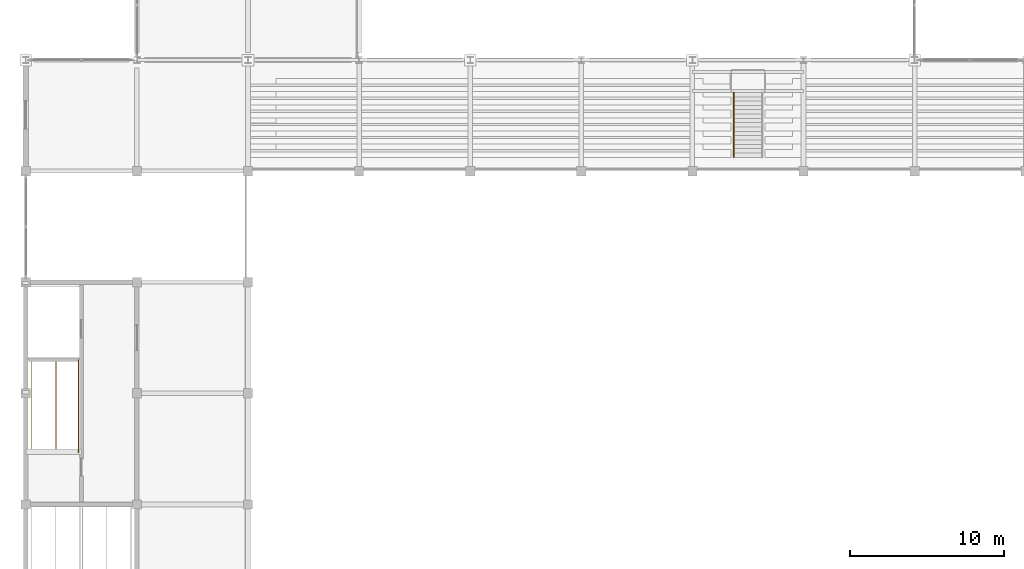
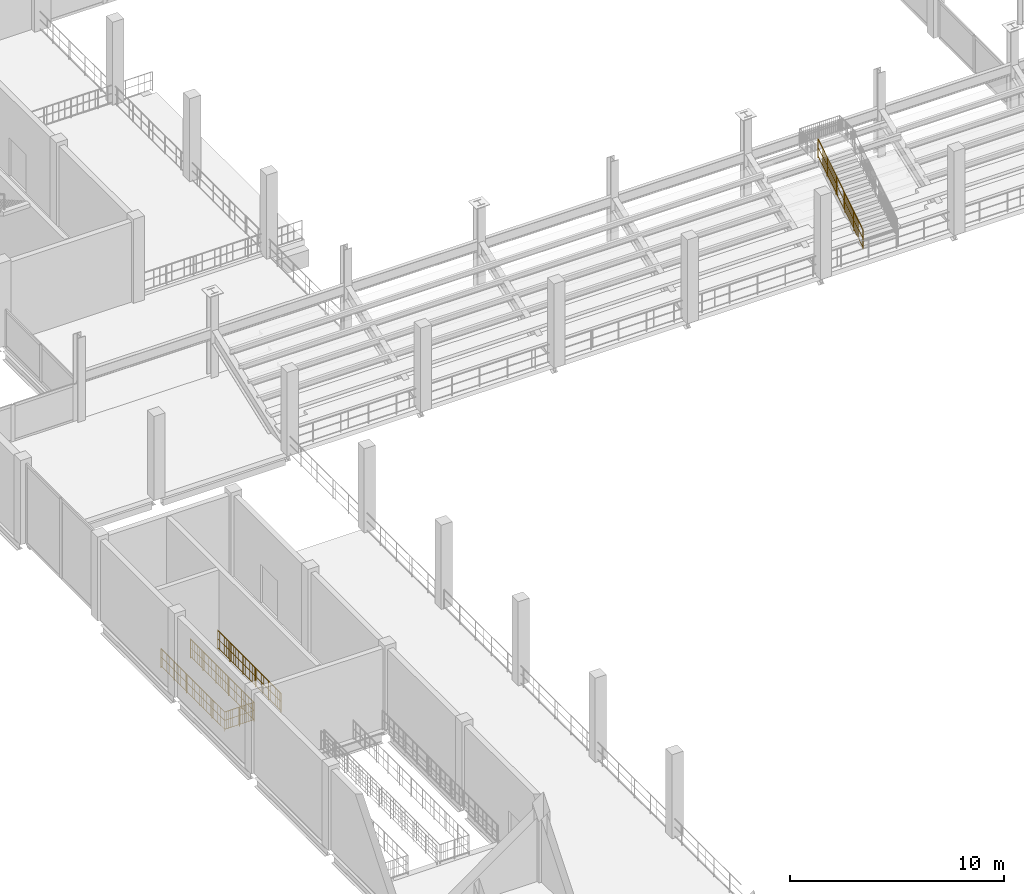
# One storey, part 112 of 120: 3 railings.
"""IFC4 building model written with IfcOpenShell, lengths in metres."""

from ifc_helpers import new_model, si_unit, direction, frame, origin, origin_2d, place, context, subcontext, project, spatial, circle, extrude, material, type_object, element, save


model = new_model("IFC4")

# Units and contexts
model_context = context("Model", 3, precision=1e-05, world=origin(), true_north=direction((0.0, 1.0)))
body_context = subcontext(model_context, "Body", "Model", "MODEL_VIEW")
ifc_project = project(units=[si_unit("LENGTHUNIT", "METRE"), si_unit("AREAUNIT", "SQUARE_METRE"), si_unit("VOLUMEUNIT", "CUBIC_METRE"), si_unit("PLANEANGLEUNIT", "RADIAN"), si_unit("MASSUNIT", "GRAM", prefix="KILO")], contexts=[model_context])

# Site, building, storey
site_placement = place(None, origin())
site = spatial("IfcSite", under=ifc_project, at=site_placement, CompositionType="ELEMENT")
building_placement = place(site_placement, origin())
building = spatial("IfcBuilding", under=site, at=building_placement, Name="Vesperath Aquatics Centre", CompositionType="ELEMENT")
storey_placement = place(building_placement, frame((0.0, 0.0, 10.199951171875)))
storey = spatial("IfcBuildingStorey", under=building, at=storey_placement, Name="L02", CompositionType="ELEMENT", Elevation=10.199951171875)

# Railings
ifc_material = material(Name="Powder-coated galvanized steel safety guard", Category="steel")
railing_type = type_object("IfcRailingType", Name="RL-GRD01", PredefinedType="GUARDRAIL", material=ifc_material)
railing_1_placement = place(storey_placement, frame((0.3798828125, 66.93994140625, 0.0)))
element("IfcRailing", 1, at=railing_1_placement, inside=storey, type_object=railing_type, Name="Stair ST2 Top Well Guard GR02 L02", PredefinedType="GUARDRAIL", context=body_context, shape_type="SweptSolid", body=[
    extrude(circle(Radius=0.02392578125, at=origin_2d()), frame((0.0, 0.0, 1.0859375), z_axis=(0.0, -1.0, 0.0), x_axis=(1.0, 0.0, 0.0)), (0.0, 0.0, 1.0), 5.9599609375),
    extrude(circle(Radius=0.01611328125, at=origin_2d()), frame((0.0, 0.0, 0.10009765625), z_axis=(0.0, -1.0, 0.0), x_axis=(1.0, 0.0, 0.0)), (0.0, 0.0, 1.0), 5.9599609375),
    extrude(circle(Radius=0.01611328125, at=origin_2d()), frame((0.0, 0.0, 0.610595703125), z_axis=(0.0, -1.0, 0.0), x_axis=(1.0, 0.0, 0.0)), (0.0, 0.0, 1.0), 5.9599609375),
    extrude(circle(Radius=0.009033203125, at=origin_2d()), frame((0.0, -0.1083984375, 0.10009765625)), (0.0, 0.0, 1.0), 0.9619140625),
    extrude(circle(Radius=0.009033203125, at=origin_2d()), frame((0.0, -0.3251953125, 0.10009765625)), (0.0, 0.0, 1.0), 0.9619140625),
    extrude(circle(Radius=0.009033203125, at=origin_2d()), frame((0.0, -0.541748046875, 0.10009765625)), (0.0, 0.0, 1.0), 0.9619140625),
    extrude(circle(Radius=0.009033203125, at=origin_2d()), frame((0.0, -0.758544921875, 0.10009765625)), (0.0, 0.0, 1.0), 0.9619140625),
    extrude(circle(Radius=0.009033203125, at=origin_2d()), frame((0.0, -0.975341796875, 0.10009765625)), (0.0, 0.0, 1.0), 0.9619140625),
    extrude(circle(Radius=0.009033203125, at=origin_2d()), frame((0.0, -1.19189453125, 0.10009765625)), (0.0, 0.0, 1.0), 0.9619140625),
    extrude(circle(Radius=0.009033203125, at=origin_2d()), frame((0.0, -1.40869140625, 0.10009765625)), (0.0, 0.0, 1.0), 0.9619140625),
    extrude(circle(Radius=0.009033203125, at=origin_2d()), frame((0.0, -1.62548828125, 0.10009765625)), (0.0, 0.0, 1.0), 0.9619140625),
    extrude(circle(Radius=0.009033203125, at=origin_2d()), frame((0.0, -1.84228515625, 0.10009765625)), (0.0, 0.0, 1.0), 0.9619140625),
    extrude(circle(Radius=0.009033203125, at=origin_2d()), frame((0.0, -2.058837890625, 0.10009765625)), (0.0, 0.0, 1.0), 0.9619140625),
    extrude(circle(Radius=0.009033203125, at=origin_2d()), frame((0.0, -2.275634765625, 0.10009765625)), (0.0, 0.0, 1.0), 0.9619140625),
    extrude(circle(Radius=0.009033203125, at=origin_2d()), frame((0.0, -2.492431640625, 0.10009765625)), (0.0, 0.0, 1.0), 0.9619140625),
    extrude(circle(Radius=0.009033203125, at=origin_2d()), frame((0.0, -2.708984375, 0.10009765625)), (0.0, 0.0, 1.0), 0.9619140625),
    extrude(circle(Radius=0.009033203125, at=origin_2d()), frame((0.0, -2.92578125, 0.10009765625)), (0.0, 0.0, 1.0), 0.9619140625),
    extrude(circle(Radius=0.009033203125, at=origin_2d()), frame((0.0, -3.142578125, 0.10009765625)), (0.0, 0.0, 1.0), 0.9619140625),
    extrude(circle(Radius=0.009033203125, at=origin_2d()), frame((0.0, -3.359130859375, 0.10009765625)), (0.0, 0.0, 1.0), 0.9619140625),
    extrude(circle(Radius=0.009033203125, at=origin_2d()), frame((0.0, -3.575927734375, 0.10009765625)), (0.0, 0.0, 1.0), 0.9619140625),
    extrude(circle(Radius=0.009033203125, at=origin_2d()), frame((0.0, -3.792724609375, 0.10009765625)), (0.0, 0.0, 1.0), 0.9619140625),
    extrude(circle(Radius=0.009033203125, at=origin_2d()), frame((0.0, -4.009521484375, 0.10009765625)), (0.0, 0.0, 1.0), 0.9619140625),
    extrude(circle(Radius=0.009033203125, at=origin_2d()), frame((0.0, -4.22607421875, 0.10009765625)), (0.0, 0.0, 1.0), 0.9619140625),
    extrude(circle(Radius=0.009033203125, at=origin_2d()), frame((0.0, -4.44287109375, 0.10009765625)), (0.0, 0.0, 1.0), 0.9619140625),
    extrude(circle(Radius=0.009033203125, at=origin_2d()), frame((0.0, -4.65966796875, 0.10009765625)), (0.0, 0.0, 1.0), 0.9619140625),
    extrude(circle(Radius=0.009033203125, at=origin_2d()), frame((0.0, -4.876220703125, 0.10009765625)), (0.0, 0.0, 1.0), 0.9619140625),
    extrude(circle(Radius=0.009033203125, at=origin_2d()), frame((0.0, -5.093017578125, 0.10009765625)), (0.0, 0.0, 1.0), 0.9619140625),
    extrude(circle(Radius=0.009033203125, at=origin_2d()), frame((0.0, -5.309814453125, 0.10009765625)), (0.0, 0.0, 1.0), 0.9619140625),
    extrude(circle(Radius=0.009033203125, at=origin_2d()), frame((0.0, -5.526611328125, 0.10009765625)), (0.0, 0.0, 1.0), 0.9619140625),
    extrude(circle(Radius=0.009033203125, at=origin_2d()), frame((0.0, -5.7431640625, 0.10009765625)), (0.0, 0.0, 1.0), 0.9619140625),
    extrude(circle(Radius=0.02392578125, at=origin_2d()), frame((0.0, -5.9599609375, 1.0859375), z_axis=(1.0, 0.0, 0.0), x_axis=(0.0, 1.0, 0.0)), (0.0, 0.0, 1.0), 1.580078125),
    extrude(circle(Radius=0.01611328125, at=origin_2d()), frame((0.0, -5.9599609375, 0.10009765625), z_axis=(1.0, 0.0, 0.0), x_axis=(0.0, 1.0, 0.0)), (0.0, 0.0, 1.0), 1.580078125),
    extrude(circle(Radius=0.01611328125, at=origin_2d()), frame((0.0, -5.9599609375, 0.610595703125), z_axis=(1.0, 0.0, 0.0), x_axis=(0.0, 1.0, 0.0)), (0.0, 0.0, 1.0), 1.580078125),
    extrude(circle(Radius=0.009033203125, at=origin_2d()), frame((0.105224609375, -5.9599609375, 0.10009765625)), (0.0, 0.0, 1.0), 0.9619140625),
    extrude(circle(Radius=0.009033203125, at=origin_2d()), frame((0.210693359375, -5.9599609375, 0.10009765625)), (0.0, 0.0, 1.0), 0.9619140625),
    extrude(circle(Radius=0.009033203125, at=origin_2d()), frame((0.31591796875, -5.9599609375, 0.10009765625)), (0.0, 0.0, 1.0), 0.9619140625),
    extrude(circle(Radius=0.009033203125, at=origin_2d()), frame((0.42138671875, -5.9599609375, 0.10009765625)), (0.0, 0.0, 1.0), 0.9619140625),
    extrude(circle(Radius=0.009033203125, at=origin_2d()), frame((0.526611328125, -5.9599609375, 0.10009765625)), (0.0, 0.0, 1.0), 0.9619140625),
    extrude(circle(Radius=0.009033203125, at=origin_2d()), frame((0.632080078125, -5.9599609375, 0.10009765625)), (0.0, 0.0, 1.0), 0.9619140625),
    extrude(circle(Radius=0.009033203125, at=origin_2d()), frame((0.7373046875, -5.9599609375, 0.10009765625)), (0.0, 0.0, 1.0), 0.9619140625),
    extrude(circle(Radius=0.009033203125, at=origin_2d()), frame((0.8427734375, -5.9599609375, 0.10009765625)), (0.0, 0.0, 1.0), 0.9619140625),
    extrude(circle(Radius=0.009033203125, at=origin_2d()), frame((0.947998046875, -5.9599609375, 0.10009765625)), (0.0, 0.0, 1.0), 0.9619140625),
    extrude(circle(Radius=0.009033203125, at=origin_2d()), frame((1.053466796875, -5.9599609375, 0.10009765625)), (0.0, 0.0, 1.0), 0.9619140625),
    extrude(circle(Radius=0.009033203125, at=origin_2d()), frame((1.15869140625, -5.9599609375, 0.10009765625)), (0.0, 0.0, 1.0), 0.9619140625),
    extrude(circle(Radius=0.009033203125, at=origin_2d()), frame((1.26416015625, -5.9599609375, 0.10009765625)), (0.0, 0.0, 1.0), 0.9619140625),
    extrude(circle(Radius=0.009033203125, at=origin_2d()), frame((1.369384765625, -5.9599609375, 0.10009765625)), (0.0, 0.0, 1.0), 0.9619140625),
    extrude(circle(Radius=0.009033203125, at=origin_2d()), frame((1.474853515625, -5.9599609375, 0.10009765625)), (0.0, 0.0, 1.0), 0.9619140625),
    extrude(circle(Radius=0.02392578125, at=origin_2d()), frame((1.580078125, -5.9599609375, 1.0859375), z_axis=(0.0, 1.0, 0.0), x_axis=(-1.0, 0.0, 0.0)), (0.0, 0.0, 1.0), 5.9599609375),
    extrude(circle(Radius=0.01611328125, at=origin_2d()), frame((1.580078125, -5.9599609375, 0.10009765625), z_axis=(0.0, 1.0, 0.0), x_axis=(-1.0, 0.0, 0.0)), (0.0, 0.0, 1.0), 5.9599609375),
    extrude(circle(Radius=0.01611328125, at=origin_2d()), frame((1.580078125, -5.9599609375, 0.610595703125), z_axis=(0.0, 1.0, 0.0), x_axis=(-1.0, 0.0, 0.0)), (0.0, 0.0, 1.0), 5.9599609375),
    extrude(circle(Radius=0.009033203125, at=origin_2d()), frame((1.580078125, -5.8515625, 0.10009765625)), (0.0, 0.0, 1.0), 0.9619140625),
    extrude(circle(Radius=0.009033203125, at=origin_2d()), frame((1.580078125, -5.634765625, 0.10009765625)), (0.0, 0.0, 1.0), 0.9619140625),
    extrude(circle(Radius=0.009033203125, at=origin_2d()), frame((1.580078125, -5.418212890625, 0.10009765625)), (0.0, 0.0, 1.0), 0.9619140625),
    extrude(circle(Radius=0.009033203125, at=origin_2d()), frame((1.580078125, -5.201416015625, 0.10009765625)), (0.0, 0.0, 1.0), 0.9619140625),
    extrude(circle(Radius=0.009033203125, at=origin_2d()), frame((1.580078125, -4.984619140625, 0.10009765625)), (0.0, 0.0, 1.0), 0.9619140625),
    extrude(circle(Radius=0.009033203125, at=origin_2d()), frame((1.580078125, -4.76806640625, 0.10009765625)), (0.0, 0.0, 1.0), 0.9619140625),
    extrude(circle(Radius=0.009033203125, at=origin_2d()), frame((1.580078125, -4.55126953125, 0.10009765625)), (0.0, 0.0, 1.0), 0.9619140625),
    extrude(circle(Radius=0.009033203125, at=origin_2d()), frame((1.580078125, -4.33447265625, 0.10009765625)), (0.0, 0.0, 1.0), 0.9619140625),
    extrude(circle(Radius=0.009033203125, at=origin_2d()), frame((1.580078125, -4.11767578125, 0.10009765625)), (0.0, 0.0, 1.0), 0.9619140625),
    extrude(circle(Radius=0.009033203125, at=origin_2d()), frame((1.580078125, -3.901123046875, 0.10009765625)), (0.0, 0.0, 1.0), 0.9619140625),
    extrude(circle(Radius=0.009033203125, at=origin_2d()), frame((1.580078125, -3.684326171875, 0.10009765625)), (0.0, 0.0, 1.0), 0.9619140625),
    extrude(circle(Radius=0.009033203125, at=origin_2d()), frame((1.580078125, -3.467529296875, 0.10009765625)), (0.0, 0.0, 1.0), 0.9619140625),
    extrude(circle(Radius=0.009033203125, at=origin_2d()), frame((1.580078125, -3.2509765625, 0.10009765625)), (0.0, 0.0, 1.0), 0.9619140625),
    extrude(circle(Radius=0.009033203125, at=origin_2d()), frame((1.580078125, -3.0341796875, 0.10009765625)), (0.0, 0.0, 1.0), 0.9619140625),
    extrude(circle(Radius=0.009033203125, at=origin_2d()), frame((1.580078125, -2.8173828125, 0.10009765625)), (0.0, 0.0, 1.0), 0.9619140625),
    extrude(circle(Radius=0.009033203125, at=origin_2d()), frame((1.580078125, -2.600830078125, 0.10009765625)), (0.0, 0.0, 1.0), 0.9619140625),
    extrude(circle(Radius=0.009033203125, at=origin_2d()), frame((1.580078125, -2.384033203125, 0.10009765625)), (0.0, 0.0, 1.0), 0.9619140625),
    extrude(circle(Radius=0.009033203125, at=origin_2d()), frame((1.580078125, -2.167236328125, 0.10009765625)), (0.0, 0.0, 1.0), 0.9619140625),
    extrude(circle(Radius=0.009033203125, at=origin_2d()), frame((1.580078125, -1.950439453125, 0.10009765625)), (0.0, 0.0, 1.0), 0.9619140625),
    extrude(circle(Radius=0.009033203125, at=origin_2d()), frame((1.580078125, -1.73388671875, 0.10009765625)), (0.0, 0.0, 1.0), 0.9619140625),
    extrude(circle(Radius=0.009033203125, at=origin_2d()), frame((1.580078125, -1.51708984375, 0.10009765625)), (0.0, 0.0, 1.0), 0.9619140625),
    extrude(circle(Radius=0.009033203125, at=origin_2d()), frame((1.580078125, -1.30029296875, 0.10009765625)), (0.0, 0.0, 1.0), 0.9619140625),
    extrude(circle(Radius=0.009033203125, at=origin_2d()), frame((1.580078125, -1.083740234375, 0.10009765625)), (0.0, 0.0, 1.0), 0.9619140625),
    extrude(circle(Radius=0.009033203125, at=origin_2d()), frame((1.580078125, -0.866943359375, 0.10009765625)), (0.0, 0.0, 1.0), 0.9619140625),
    extrude(circle(Radius=0.009033203125, at=origin_2d()), frame((1.580078125, -0.650146484375, 0.10009765625)), (0.0, 0.0, 1.0), 0.9619140625),
    extrude(circle(Radius=0.009033203125, at=origin_2d()), frame((1.580078125, -0.433349609375, 0.10009765625)), (0.0, 0.0, 1.0), 0.9619140625),
    extrude(circle(Radius=0.009033203125, at=origin_2d()), frame((1.580078125, -0.216796875, 0.10009765625)), (0.0, 0.0, 1.0), 0.9619140625),
    extrude(circle(Radius=0.02197265625, at=origin_2d()), origin(), (0.0, 0.0, 1.0), 1.0859375),
    extrude(circle(Radius=0.02197265625, at=origin_2d()), frame((0.0, -1.19189453125, 0.0)), (0.0, 0.0, 1.0), 1.0859375),
    extrude(circle(Radius=0.02197265625, at=origin_2d()), frame((0.0, -2.384033203125, 0.0)), (0.0, 0.0, 1.0), 1.0859375),
    extrude(circle(Radius=0.02197265625, at=origin_2d()), frame((0.0, -3.575927734375, 0.0)), (0.0, 0.0, 1.0), 1.0859375),
    extrude(circle(Radius=0.02197265625, at=origin_2d()), frame((0.0, -4.76806640625, 0.0)), (0.0, 0.0, 1.0), 1.0859375),
    extrude(circle(Radius=0.02197265625, at=origin_2d()), frame((0.0, -5.9599609375, 0.0)), (0.0, 0.0, 1.0), 1.0859375),
    extrude(circle(Radius=0.02197265625, at=origin_2d()), frame((0.7900390625, -5.9599609375, 0.0)), (0.0, 0.0, 1.0), 1.0859375),
    extrude(circle(Radius=0.02197265625, at=origin_2d()), frame((1.580078125, -5.9599609375, 0.0)), (0.0, 0.0, 1.0), 1.0859375),
    extrude(circle(Radius=0.02197265625, at=origin_2d()), frame((1.580078125, -4.76806640625, 0.0)), (0.0, 0.0, 1.0), 1.0859375),
    extrude(circle(Radius=0.02197265625, at=origin_2d()), frame((1.580078125, -3.575927734375, 0.0)), (0.0, 0.0, 1.0), 1.0859375),
    extrude(circle(Radius=0.02197265625, at=origin_2d()), frame((1.580078125, -2.384033203125, 0.0)), (0.0, 0.0, 1.0), 1.0859375),
    extrude(circle(Radius=0.02197265625, at=origin_2d()), frame((1.580078125, -1.19189453125, 0.0)), (0.0, 0.0, 1.0), 1.0859375),
    extrude(circle(Radius=0.02197265625, at=origin_2d()), frame((1.580078125, 0.0, 0.0)), (0.0, 0.0, 1.0), 1.0859375),
])
railing_2_placement = place(storey_placement, frame((3.419921875, 60.97998046875, 0.0)))
element("IfcRailing", 2, at=railing_2_placement, inside=storey, type_object=railing_type, Name="Stair ST2 Top Side Guard GR02 L02", PredefinedType="GUARDRAIL", context=body_context, shape_type="SweptSolid", body=[
    extrude(circle(Radius=0.02392578125, at=origin_2d()), frame((0.0, 0.0, 1.0859375), z_axis=(0.0, 1.0, 0.0), x_axis=(-1.0, 0.0, 0.0)), (0.0, 0.0, 1.0), 5.9599609375),
    extrude(circle(Radius=0.01611328125, at=origin_2d()), frame((0.0, 0.0, 0.10009765625), z_axis=(0.0, 1.0, 0.0), x_axis=(-1.0, 0.0, 0.0)), (0.0, 0.0, 1.0), 5.9599609375),
    extrude(circle(Radius=0.01611328125, at=origin_2d()), frame((0.0, 0.0, 0.610595703125), z_axis=(0.0, 1.0, 0.0), x_axis=(-1.0, 0.0, 0.0)), (0.0, 0.0, 1.0), 5.9599609375),
    extrude(circle(Radius=0.009033203125, at=origin_2d()), frame((0.0, 0.1083984375, 0.10009765625)), (0.0, 0.0, 1.0), 0.9619140625),
    extrude(circle(Radius=0.009033203125, at=origin_2d()), frame((0.0, 0.3251953125, 0.10009765625)), (0.0, 0.0, 1.0), 0.9619140625),
    extrude(circle(Radius=0.009033203125, at=origin_2d()), frame((0.0, 0.541748046875, 0.10009765625)), (0.0, 0.0, 1.0), 0.9619140625),
    extrude(circle(Radius=0.009033203125, at=origin_2d()), frame((0.0, 0.758544921875, 0.10009765625)), (0.0, 0.0, 1.0), 0.9619140625),
    extrude(circle(Radius=0.009033203125, at=origin_2d()), frame((0.0, 0.975341796875, 0.10009765625)), (0.0, 0.0, 1.0), 0.9619140625),
    extrude(circle(Radius=0.009033203125, at=origin_2d()), frame((0.0, 1.19189453125, 0.10009765625)), (0.0, 0.0, 1.0), 0.9619140625),
    extrude(circle(Radius=0.009033203125, at=origin_2d()), frame((0.0, 1.40869140625, 0.10009765625)), (0.0, 0.0, 1.0), 0.9619140625),
    extrude(circle(Radius=0.009033203125, at=origin_2d()), frame((0.0, 1.62548828125, 0.10009765625)), (0.0, 0.0, 1.0), 0.9619140625),
    extrude(circle(Radius=0.009033203125, at=origin_2d()), frame((0.0, 1.84228515625, 0.10009765625)), (0.0, 0.0, 1.0), 0.9619140625),
    extrude(circle(Radius=0.009033203125, at=origin_2d()), frame((0.0, 2.058837890625, 0.10009765625)), (0.0, 0.0, 1.0), 0.9619140625),
    extrude(circle(Radius=0.009033203125, at=origin_2d()), frame((0.0, 2.275634765625, 0.10009765625)), (0.0, 0.0, 1.0), 0.9619140625),
    extrude(circle(Radius=0.009033203125, at=origin_2d()), frame((0.0, 2.492431640625, 0.10009765625)), (0.0, 0.0, 1.0), 0.9619140625),
    extrude(circle(Radius=0.009033203125, at=origin_2d()), frame((0.0, 2.708984375, 0.10009765625)), (0.0, 0.0, 1.0), 0.9619140625),
    extrude(circle(Radius=0.009033203125, at=origin_2d()), frame((0.0, 2.92578125, 0.10009765625)), (0.0, 0.0, 1.0), 0.9619140625),
    extrude(circle(Radius=0.009033203125, at=origin_2d()), frame((0.0, 3.142578125, 0.10009765625)), (0.0, 0.0, 1.0), 0.9619140625),
    extrude(circle(Radius=0.009033203125, at=origin_2d()), frame((0.0, 3.359130859375, 0.10009765625)), (0.0, 0.0, 1.0), 0.9619140625),
    extrude(circle(Radius=0.009033203125, at=origin_2d()), frame((0.0, 3.575927734375, 0.10009765625)), (0.0, 0.0, 1.0), 0.9619140625),
    extrude(circle(Radius=0.009033203125, at=origin_2d()), frame((0.0, 3.792724609375, 0.10009765625)), (0.0, 0.0, 1.0), 0.9619140625),
    extrude(circle(Radius=0.009033203125, at=origin_2d()), frame((0.0, 4.009521484375, 0.10009765625)), (0.0, 0.0, 1.0), 0.9619140625),
    extrude(circle(Radius=0.009033203125, at=origin_2d()), frame((0.0, 4.22607421875, 0.10009765625)), (0.0, 0.0, 1.0), 0.9619140625),
    extrude(circle(Radius=0.009033203125, at=origin_2d()), frame((0.0, 4.44287109375, 0.10009765625)), (0.0, 0.0, 1.0), 0.9619140625),
    extrude(circle(Radius=0.009033203125, at=origin_2d()), frame((0.0, 4.65966796875, 0.10009765625)), (0.0, 0.0, 1.0), 0.9619140625),
    extrude(circle(Radius=0.009033203125, at=origin_2d()), frame((0.0, 4.876220703125, 0.10009765625)), (0.0, 0.0, 1.0), 0.9619140625),
    extrude(circle(Radius=0.009033203125, at=origin_2d()), frame((0.0, 5.093017578125, 0.10009765625)), (0.0, 0.0, 1.0), 0.9619140625),
    extrude(circle(Radius=0.009033203125, at=origin_2d()), frame((0.0, 5.309814453125, 0.10009765625)), (0.0, 0.0, 1.0), 0.9619140625),
    extrude(circle(Radius=0.009033203125, at=origin_2d()), frame((0.0, 5.526611328125, 0.10009765625)), (0.0, 0.0, 1.0), 0.9619140625),
    extrude(circle(Radius=0.009033203125, at=origin_2d()), frame((0.0, 5.7431640625, 0.10009765625)), (0.0, 0.0, 1.0), 0.9619140625),
    extrude(circle(Radius=0.02197265625, at=origin_2d()), origin(), (0.0, 0.0, 1.0), 1.0859375),
    extrude(circle(Radius=0.02197265625, at=origin_2d()), frame((0.0, 1.19189453125, 0.0)), (0.0, 0.0, 1.0), 1.0859375),
    extrude(circle(Radius=0.02197265625, at=origin_2d()), frame((0.0, 2.384033203125, 0.0)), (0.0, 0.0, 1.0), 1.0859375),
    extrude(circle(Radius=0.02197265625, at=origin_2d()), frame((0.0, 3.575927734375, 0.0)), (0.0, 0.0, 1.0), 1.0859375),
    extrude(circle(Radius=0.02197265625, at=origin_2d()), frame((0.0, 4.76806640625, 0.0)), (0.0, 0.0, 1.0), 1.0859375),
    extrude(circle(Radius=0.02197265625, at=origin_2d()), frame((0.0, 5.9599609375, 0.0)), (0.0, 0.0, 1.0), 1.0859375),
])
railing_3_placement = place(storey_placement, frame((45.8798828125, 80.10009765625, 0.0)))
element("IfcRailing", 3, at=railing_3_placement, inside=storey, type_object=railing_type, Name="Vomitory VOM-08 Guardrail GR02-W", PredefinedType="GUARDRAIL", context=body_context, shape_type="SweptSolid", body=[
    extrude(circle(Radius=0.02392578125, at=origin_2d()), frame((0.0, 0.0, 1.0859375), z_axis=(0.0, 0.845711950773, 0.53363966899), x_axis=(-1.0, 0.0, 0.0)), (0.0, 0.0, 1.0), 4.966064453125),
    extrude(circle(Radius=0.01611328125, at=origin_2d()), frame((0.0, 0.0, 0.10009765625), z_axis=(0.0, 0.845711950773, 0.53363966899), x_axis=(-1.0, 0.0, 0.0)), (0.0, 0.0, 1.0), 4.966064453125),
    extrude(circle(Radius=0.01611328125, at=origin_2d()), frame((0.0, 0.0, 0.610595703125), z_axis=(0.0, 0.845711950773, 0.53363966899), x_axis=(-1.0, 0.0, 0.0)), (0.0, 0.0, 1.0), 4.966064453125),
    extrude(circle(Radius=0.009033203125, at=origin_2d()), frame((0.0, 0.09130859375, 0.15771484375)), (0.0, 0.0, 1.0), 0.9619140625),
    extrude(circle(Radius=0.009033203125, at=origin_2d()), frame((0.0, 0.1826171875, 0.21533203125)), (0.0, 0.0, 1.0), 0.9619140625),
    extrude(circle(Radius=0.009033203125, at=origin_2d()), frame((0.0, 0.27392578125, 0.27294921875)), (0.0, 0.0, 1.0), 0.9619140625),
    extrude(circle(Radius=0.009033203125, at=origin_2d()), frame((0.0, 0.365234375, 0.33056640625)), (0.0, 0.0, 1.0), 0.9619140625),
    extrude(circle(Radius=0.009033203125, at=origin_2d()), frame((0.0, 0.45654296875, 0.38818359375)), (0.0, 0.0, 1.0), 0.9619140625),
    extrude(circle(Radius=0.009033203125, at=origin_2d()), frame((0.0, 0.5478515625, 0.44580078125)), (0.0, 0.0, 1.0), 0.9619140625),
    extrude(circle(Radius=0.009033203125, at=origin_2d()), frame((0.0, 0.63916015625, 0.50341796875)), (0.0, 0.0, 1.0), 0.9619140625),
    extrude(circle(Radius=0.009033203125, at=origin_2d()), frame((0.0, 0.73046875, 0.56103515625)), (0.0, 0.0, 1.0), 0.9619140625),
    extrude(circle(Radius=0.009033203125, at=origin_2d()), frame((0.0, 0.82177734375, 0.61865234375)), (0.0, 0.0, 1.0), 0.9619140625),
    extrude(circle(Radius=0.009033203125, at=origin_2d()), frame((0.0, 0.9130859375, 0.67626953125)), (0.0, 0.0, 1.0), 0.9619140625),
    extrude(circle(Radius=0.009033203125, at=origin_2d()), frame((0.0, 1.00439453125, 0.73388671875)), (0.0, 0.0, 1.0), 0.9619140625),
    extrude(circle(Radius=0.009033203125, at=origin_2d()), frame((0.0, 1.095703125, 0.79150390625)), (0.0, 0.0, 1.0), 0.9619140625),
    extrude(circle(Radius=0.009033203125, at=origin_2d()), frame((0.0, 1.18701171875, 0.84912109375)), (0.0, 0.0, 1.0), 0.9619140625),
    extrude(circle(Radius=0.009033203125, at=origin_2d()), frame((0.0, 1.2783203125, 0.90673828125)), (0.0, 0.0, 1.0), 0.9619140625),
    extrude(circle(Radius=0.009033203125, at=origin_2d()), frame((0.0, 1.36962890625, 0.96435546875)), (0.0, 0.0, 1.0), 0.9619140625),
    extrude(circle(Radius=0.009033203125, at=origin_2d()), frame((0.0, 1.4609375, 1.02197265625)), (0.0, 0.0, 1.0), 0.9619140625),
    extrude(circle(Radius=0.009033203125, at=origin_2d()), frame((0.0, 1.55224609375, 1.07958984375)), (0.0, 0.0, 1.0), 0.9619140625),
    extrude(circle(Radius=0.009033203125, at=origin_2d()), frame((0.0, 1.6435546875, 1.13720703125)), (0.0, 0.0, 1.0), 0.9619140625),
    extrude(circle(Radius=0.009033203125, at=origin_2d()), frame((0.0, 1.73486328125, 1.19482421875)), (0.0, 0.0, 1.0), 0.9619140625),
    extrude(circle(Radius=0.009033203125, at=origin_2d()), frame((0.0, 1.826171875, 1.25244140625)), (0.0, 0.0, 1.0), 0.9619140625),
    extrude(circle(Radius=0.009033203125, at=origin_2d()), frame((0.0, 1.91748046875, 1.31005859375)), (0.0, 0.0, 1.0), 0.9619140625),
    extrude(circle(Radius=0.009033203125, at=origin_2d()), frame((0.0, 2.0087890625, 1.36767578125)), (0.0, 0.0, 1.0), 0.9619140625),
    extrude(circle(Radius=0.009033203125, at=origin_2d()), frame((0.0, 2.10009765625, 1.42529296875)), (0.0, 0.0, 1.0), 0.9619140625),
    extrude(circle(Radius=0.009033203125, at=origin_2d()), frame((0.0, 2.191162109375, 1.482666015625)), (0.0, 0.0, 1.0), 0.9619140625),
    extrude(circle(Radius=0.009033203125, at=origin_2d()), frame((0.0, 2.282470703125, 1.540283203125)), (0.0, 0.0, 1.0), 0.9619140625),
    extrude(circle(Radius=0.009033203125, at=origin_2d()), frame((0.0, 2.373779296875, 1.597900390625)), (0.0, 0.0, 1.0), 0.9619140625),
    extrude(circle(Radius=0.009033203125, at=origin_2d()), frame((0.0, 2.465087890625, 1.655517578125)), (0.0, 0.0, 1.0), 0.9619140625),
    extrude(circle(Radius=0.009033203125, at=origin_2d()), frame((0.0, 2.556396484375, 1.713134765625)), (0.0, 0.0, 1.0), 0.9619140625),
    extrude(circle(Radius=0.009033203125, at=origin_2d()), frame((0.0, 2.647705078125, 1.770751953125)), (0.0, 0.0, 1.0), 0.9619140625),
    extrude(circle(Radius=0.009033203125, at=origin_2d()), frame((0.0, 2.739013671875, 1.828369140625)), (0.0, 0.0, 1.0), 0.9619140625),
    extrude(circle(Radius=0.009033203125, at=origin_2d()), frame((0.0, 2.830322265625, 1.885986328125)), (0.0, 0.0, 1.0), 0.9619140625),
    extrude(circle(Radius=0.009033203125, at=origin_2d()), frame((0.0, 2.921630859375, 1.943603515625)), (0.0, 0.0, 1.0), 0.9619140625),
    extrude(circle(Radius=0.009033203125, at=origin_2d()), frame((0.0, 3.012939453125, 2.001220703125)), (0.0, 0.0, 1.0), 0.9619140625),
    extrude(circle(Radius=0.009033203125, at=origin_2d()), frame((0.0, 3.104248046875, 2.058837890625)), (0.0, 0.0, 1.0), 0.9619140625),
    extrude(circle(Radius=0.009033203125, at=origin_2d()), frame((0.0, 3.195556640625, 2.116455078125)), (0.0, 0.0, 1.0), 0.9619140625),
    extrude(circle(Radius=0.009033203125, at=origin_2d()), frame((0.0, 3.286865234375, 2.174072265625)), (0.0, 0.0, 1.0), 0.9619140625),
    extrude(circle(Radius=0.009033203125, at=origin_2d()), frame((0.0, 3.378173828125, 2.231689453125)), (0.0, 0.0, 1.0), 0.9619140625),
    extrude(circle(Radius=0.009033203125, at=origin_2d()), frame((0.0, 3.469482421875, 2.289306640625)), (0.0, 0.0, 1.0), 0.9619140625),
    extrude(circle(Radius=0.009033203125, at=origin_2d()), frame((0.0, 3.560791015625, 2.346923828125)), (0.0, 0.0, 1.0), 0.9619140625),
    extrude(circle(Radius=0.009033203125, at=origin_2d()), frame((0.0, 3.652099609375, 2.404541015625)), (0.0, 0.0, 1.0), 0.9619140625),
    extrude(circle(Radius=0.009033203125, at=origin_2d()), frame((0.0, 3.743408203125, 2.462158203125)), (0.0, 0.0, 1.0), 0.9619140625),
    extrude(circle(Radius=0.009033203125, at=origin_2d()), frame((0.0, 3.834716796875, 2.519775390625)), (0.0, 0.0, 1.0), 0.9619140625),
    extrude(circle(Radius=0.009033203125, at=origin_2d()), frame((0.0, 3.926025390625, 2.577392578125)), (0.0, 0.0, 1.0), 0.9619140625),
    extrude(circle(Radius=0.009033203125, at=origin_2d()), frame((0.0, 4.017333984375, 2.635009765625)), (0.0, 0.0, 1.0), 0.9619140625),
    extrude(circle(Radius=0.009033203125, at=origin_2d()), frame((0.0, 4.108642578125, 2.692626953125)), (0.0, 0.0, 1.0), 0.9619140625),
    extrude(circle(Radius=0.02197265625, at=origin_2d()), origin(), (0.0, 0.0, 1.0), 1.0859375),
    extrude(circle(Radius=0.02197265625, at=origin_2d()), frame((0.0, 0.840087890625, 0.530029296875)), (0.0, 0.0, 1.0), 1.0859375),
    extrude(circle(Radius=0.02197265625, at=origin_2d()), frame((0.0, 1.679931640625, 1.06005859375)), (0.0, 0.0, 1.0), 1.0859375),
    extrude(circle(Radius=0.02197265625, at=origin_2d()), frame((0.0, 2.52001953125, 1.590087890625)), (0.0, 0.0, 1.0), 1.0859375),
    extrude(circle(Radius=0.02197265625, at=origin_2d()), frame((0.0, 3.35986328125, 2.1201171875)), (0.0, 0.0, 1.0), 1.0859375),
    extrude(circle(Radius=0.02197265625, at=origin_2d()), frame((0.0, 4.199951171875, 2.650146484375)), (0.0, 0.0, 1.0), 1.0859375),
])

save(model, "model.ifc")
